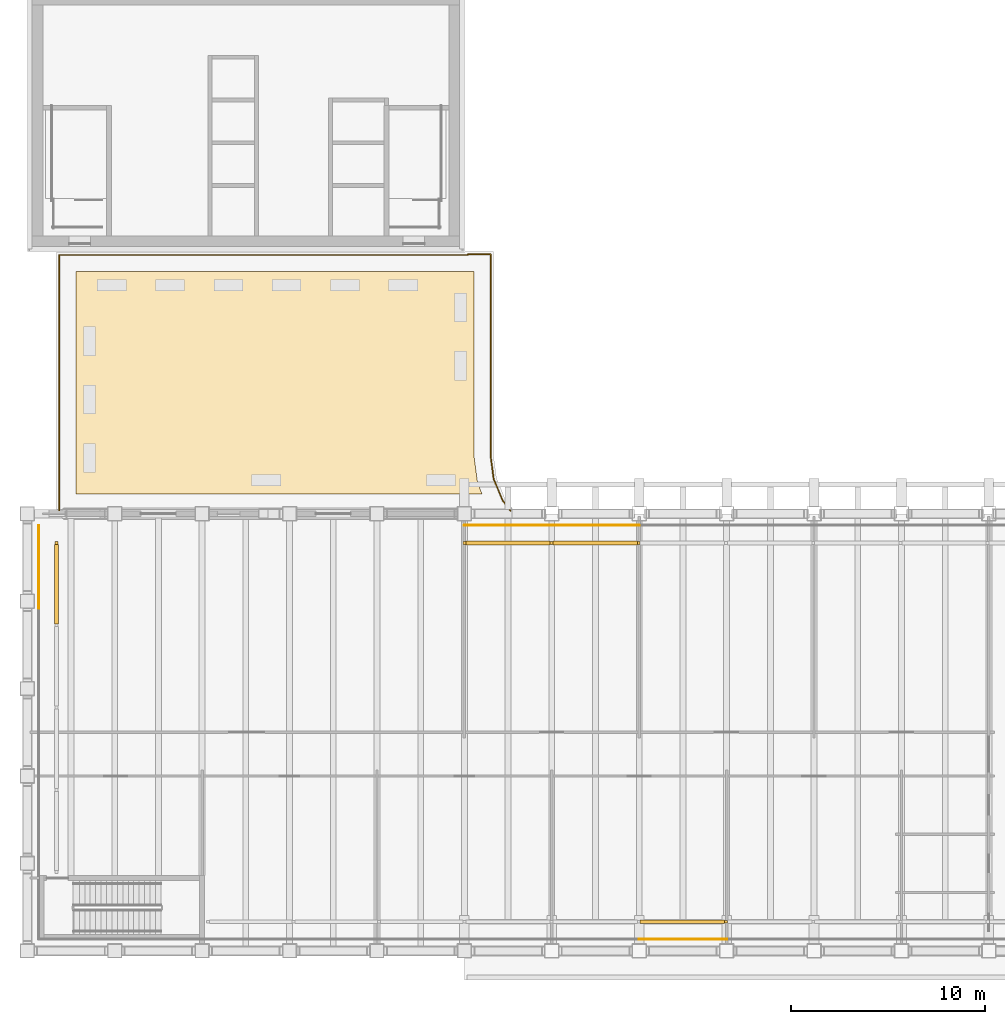
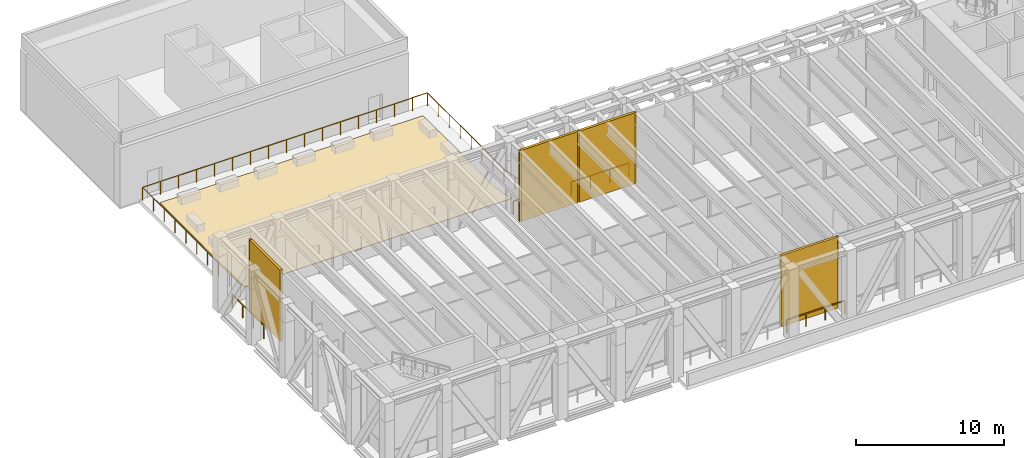
# One storey, part 15 of 20: 9 shading devices, 6 railings, 1 covering.
"""IFC4 building model written with IfcOpenShell, lengths in metres."""

import ifcopenshell
import ifcopenshell.guid

model = None  # the IFC model being written
_history = None  # IfcOwnerHistory: only IFC2X3 demands one
_inside = {}  # id of a spatial element -> (the spatial element, [elements in it])
_under = {}  # id of a project, library or spatial element -> (it, [spatial elements below it])
_declared = {}  # id of a project -> (the project, [libraries it declares])
_typed = {}  # id of a type object -> (the type object, [elements of that type])
_made_of = {}  # id of a material, layer set ... -> (it, [elements and type objects made of it])


def new_model(schema):
    """Start an empty IFC model of exactly this schema.

    Asked for "IFC4X3", IfcOpenShell would pick the latest addendum, in which some entities
    have other attributes; the version numbers below select the first issue.
    IFC2X3 requires an IfcOwnerHistory on every rooted entity: one is made here for all.
    """
    global model, _history
    if schema == "IFC4X3":
        model = ifcopenshell.file(schema_version=(4, 3, 0, 0))
    else:
        model = ifcopenshell.file(schema=schema)
    _inside.clear()
    _under.clear()
    _declared.clear()
    _typed.clear()
    _made_of.clear()
    _history = None
    if model.schema == "IFC2X3":
        org = make("IfcOrganization", Name="unknown")
        user = make(
            "IfcPersonAndOrganization",
            ThePerson=make("IfcPerson", FamilyName="unknown"),
            TheOrganization=org,
        )
        app = make(
            "IfcApplication",
            ApplicationDeveloper=org,
            Version="unknown",
            ApplicationFullName="unknown",
            ApplicationIdentifier="unknown",
        )
        _history = make(
            "IfcOwnerHistory",
            OwningUser=user,
            OwningApplication=app,
            ChangeAction="ADDED",
            CreationDate=0,
        )
    return model


def make(cls, **values):
    """One entity of the class cls with the attributes given. An attribute that is None is left unset."""
    return model.create_entity(
        cls, **{name: value for name, value in values.items() if value is not None}
    )


def rooted(cls, **values):
    """An entity with a GlobalId (a new one), such as an element, a storey or a relation."""
    return make(cls, GlobalId=ifcopenshell.guid.new(), OwnerHistory=_history, **values)


def si_unit(unit_type, name, prefix=None):
    """IfcSIUnit, for example si_unit("LENGTHUNIT", "METRE", prefix="MILLI")."""
    return make("IfcSIUnit", UnitType=unit_type, Prefix=prefix, Name=name)


def assignment(units):
    """IfcUnitAssignment: the units of a project."""
    return None if units is None else make("IfcUnitAssignment", Units=units)


def point(xyz):
    """IfcCartesianPoint."""
    return None if xyz is None else make("IfcCartesianPoint", Coordinates=xyz)


def direction(xyz):
    """IfcDirection."""
    return None if xyz is None else make("IfcDirection", DirectionRatios=xyz)


def frame(location, z_axis=None, x_axis=None):
    """IfcAxis2Placement3D, a coordinate frame: its origin and axes. An axis left out is left unset."""
    return make(
        "IfcAxis2Placement3D",
        Location=point(location),
        Axis=direction(z_axis),
        RefDirection=direction(x_axis),
    )


def frame_2d(location, x_axis=None):
    """IfcAxis2Placement2D, a coordinate frame in the plane: its origin and x axis."""
    return make(
        "IfcAxis2Placement2D", Location=point(location), RefDirection=direction(x_axis)
    )


def origin():
    """The frame at (0, 0, 0) with its axes left unset."""
    return frame((0.0, 0.0, 0.0))


def origin_2d():
    """The frame at (0, 0) in the plane with its x axis left unset."""
    return frame_2d((0.0, 0.0))


def place(relative_to, where):
    """IfcLocalPlacement: puts the frame where relative to a parent placement (None: the world)."""
    return make(
        "IfcLocalPlacement", PlacementRelTo=relative_to, RelativePlacement=where
    )


def context(
    kind, dimensions, precision=None, world=None, true_north=None, identifier=None
):
    """IfcGeometricRepresentationContext, for example the 3D "Model" context."""
    return make(
        "IfcGeometricRepresentationContext",
        ContextIdentifier=identifier,
        ContextType=kind,
        CoordinateSpaceDimension=dimensions,
        Precision=precision,
        WorldCoordinateSystem=world,
        TrueNorth=true_north,
    )


def subcontext(parent, identifier, kind, view, scale=None):
    """IfcGeometricRepresentationSubContext, for example "Body" below "Model"."""
    return make(
        "IfcGeometricRepresentationSubContext",
        ContextIdentifier=identifier,
        ContextType=kind,
        ParentContext=parent,
        TargetScale=scale,
        TargetView=view,
    )


def project(units=None, contexts=None):
    """IfcProject with its units and contexts."""
    return rooted(
        "IfcProject",
        Name="project",
        RepresentationContexts=contexts,
        UnitsInContext=assignment(units),
    )


def spatial(cls, under=None, at=None, **own):
    """A site, building, storey or space (cls), placed at a placement, below another one or the project."""
    s = rooted(cls, ObjectPlacement=at, **own)
    if under is not None:
        _under.setdefault(under.id(), (under, []))[1].append(s)
    return s


def polyline(points):
    """IfcPolyline through the points."""
    return make("IfcPolyline", Points=[point(p) for p in points])


def profile(cls, at=None, kind="AREA", **sizes):
    """A parametric profile (cls). Its sizes go by their IFC names, for example OverallWidth=200.0."""
    return make(cls, ProfileType=kind, Position=at, **sizes)


def rectangle(**sizes):
    """IfcRectangleProfileDef."""
    return profile("IfcRectangleProfileDef", **sizes)


def outline(outer, holes=None, kind="AREA"):
    """IfcArbitraryClosedProfileDef: a profile drawn as a closed curve; with holes, ...WithVoids."""
    if holes is None:
        return make("IfcArbitraryClosedProfileDef", ProfileType=kind, OuterCurve=outer)
    return make(
        "IfcArbitraryProfileDefWithVoids",
        ProfileType=kind,
        OuterCurve=outer,
        InnerCurves=holes,
    )


def extrude(swept, where, along, depth):
    """IfcExtrudedAreaSolid: the profile swept, set in the frame where, extruded along a direction by depth."""
    return make(
        "IfcExtrudedAreaSolid",
        SweptArea=swept,
        Position=where,
        ExtrudedDirection=direction(along),
        Depth=depth,
    )


def shape(context_of_items, identifier, shape_type, items):
    """IfcShapeRepresentation: the items that make up one representation, for example the "Body"."""
    return make(
        "IfcShapeRepresentation",
        ContextOfItems=context_of_items,
        RepresentationIdentifier=identifier,
        RepresentationType=shape_type,
        Items=items,
    )


def material(Name=None, Category=None):
    """IfcMaterial."""
    return make("IfcMaterial", Name=Name, Category=Category)


def layer(
    of_material, thickness, ventilated=None, Name=None, Category=None, Priority=None
):
    """IfcMaterialLayer: one layer of a wall or slab, of a material (None: an air gap)."""
    return make(
        "IfcMaterialLayer",
        Material=of_material,
        LayerThickness=thickness,
        IsVentilated=ventilated,
        Name=Name,
        Category=Category,
        Priority=Priority,
    )


def layer_set(layers, Name=None):
    """IfcMaterialLayerSet."""
    return make("IfcMaterialLayerSet", MaterialLayers=layers, LayerSetName=Name)


def made_of(thing, what):
    """Note that an element or type object is made of a material, layer set ...; save() writes the relation."""
    if what is not None:
        _made_of.setdefault(what.id(), (what, []))[1].append(thing)
    return thing


def type_object(cls, material=None, **own):
    """A type object (cls), such as IfcWallType, which elements share."""
    return made_of(rooted(cls, **own), material)


def element(
    cls,
    number,
    at=None,
    inside=None,
    cuts=None,
    type_object=None,
    material=None,
    context=None,
    identifier="Body",
    shape_type=None,
    held_by="IfcProductDefinitionShape",
    body=None,
    shapes=None,
    **own,
):
    """One element of the class cls, such as IfcWall. Its Tag is "e" and its number.

    at: its placement. inside: the storey or other place that contains it. cuts: it is an
    opening in that element (IfcRelVoidsElement). A single representation is given by context,
    identifier, shape_type and body (its items); several are given by shapes. held_by: the class
    of the entity that holds the representations. save() writes the other relations.
    """
    e = rooted(cls, Tag="e%d" % number, ObjectPlacement=at, **own)
    if body is not None:
        shapes = [shape(context, identifier, shape_type, body)]
    if shapes is not None:
        e.Representation = make(held_by, Representations=shapes)
    if inside is not None:
        _inside.setdefault(inside.id(), (inside, []))[1].append(e)
    if cuts is not None:
        rooted(
            "IfcRelVoidsElement", RelatingBuildingElement=cuts, RelatedOpeningElement=e
        )
    if type_object is not None:
        _typed.setdefault(type_object.id(), (type_object, []))[1].append(e)
    return made_of(e, material)


def aggregate(whole, parts):
    """IfcRelAggregates: a whole, such as a stair, and the parts it consists of."""
    return rooted("IfcRelAggregates", RelatingObject=whole, RelatedObjects=parts)


def save(model, path):
    """Write the relations noted so far, then the file.

    IfcRelAggregates (storeys below a building ...), IfcRelContainedInSpatialStructure (elements
    in a storey), IfcRelDefinesByType, IfcRelAssociatesMaterial and IfcRelDeclares: one each for
    every whole, place, type object, material and project.
    """
    for whole, parts in _under.values():
        aggregate(whole, parts)
    for where, things in _inside.values():
        rooted(
            "IfcRelContainedInSpatialStructure",
            RelatedElements=things,
            RelatingStructure=where,
        )
    for kind, things in _typed.values():
        rooted("IfcRelDefinesByType", RelatedObjects=things, RelatingType=kind)
    for what, things in _made_of.values():
        rooted("IfcRelAssociatesMaterial", RelatedObjects=things, RelatingMaterial=what)
    for by, libraries in _declared.values():
        rooted("IfcRelDeclares", RelatingContext=by, RelatedDefinitions=libraries)
    model.write(path)


model = new_model("IFC4")

# Units and contexts
model_context = context("Model", 3, precision=1e-05, world=origin(), true_north=direction((0.0, 1.0)))
body_context = subcontext(model_context, "Body", "Model", "MODEL_VIEW")
ifc_project = project(units=[si_unit("LENGTHUNIT", "METRE"), si_unit("AREAUNIT", "SQUARE_METRE"), si_unit("VOLUMEUNIT", "CUBIC_METRE"), si_unit("PLANEANGLEUNIT", "RADIAN"), si_unit("MASSUNIT", "GRAM", prefix="KILO")], contexts=[model_context])

# Site, building, storey
site_placement = place(None, origin())
site = spatial("IfcSite", under=ifc_project, at=site_placement, CompositionType="ELEMENT")
building_placement = place(site_placement, origin())
building = spatial("IfcBuilding", under=site, at=building_placement, Name="Sennacour Bend Tower", CompositionType="ELEMENT")
storey_placement = place(building_placement, frame((0.0, 0.0, 243.0)))
storey = spatial("IfcBuildingStorey", under=building, at=storey_placement, Name="L56", CompositionType="ELEMENT", Elevation=243.0)

# Covering
ifc_material_1 = material(Name="Limestone paving", Category="masonry")
ifc_layer_1 = layer(ifc_material_1, 0.030029296875, Name="Limestone paving", Category="masonry")
ifc_layer_set_1 = layer_set([ifc_layer_1], Name="Limestone paving")
covering_type = type_object("IfcCoveringType", Name="COV-PAVING-30", PredefinedType="FLOORING", material=ifc_layer_set_1)
covering_placement = place(storey_placement, origin())
element("IfcCovering", 1, at=covering_placement, inside=storey, type_object=covering_type, Name="Paving Wing B Roof", PredefinedType="FLOORING", context=body_context, shape_type="SweptSolid", body=[
    extrude(outline(polyline([(23.0, 34.969970703125), (23.0, 25.4345703125), (23.17919921875, 24.07421875), (23.404541015625, 23.530029296875), (2.5, 23.530029296875), (2.5, 34.969970703125), (23.0, 34.969970703125)])), origin(), (0.0, 0.0, 1.0), 0.030029296875),
])

# Railings
ifc_material_2 = material(Name="Stainless steel 316", Category="steel")
railing_type = type_object("IfcRailingType", Name="GUARD 1100", PredefinedType="GUARDRAIL", material=ifc_material_2)
railing_1_placement = place(storey_placement, frame((0.60009765625, 17.639892578125, 0.0)))
element("IfcRailing", 2, at=railing_1_placement, inside=storey, type_object=railing_type, Name="Guard L56", PredefinedType="GUARDRAIL", context=body_context, shape_type="SweptSolid", body=[
    extrude(rectangle(XDim=0.048095703125, YDim=0.048095703125, at=origin_2d()), frame((0.0, 0.0, 1.076171875), z_axis=(0.0, 1.0, 0.0), x_axis=(-1.0, 0.0, 0.0)), (0.0, 0.0, 1.0), 4.260009765625),
    extrude(rectangle(XDim=0.0419921875, YDim=0.0419921875, at=origin_2d()), origin(), (0.0, 0.0, 1.0), 1.052001953125),
    extrude(rectangle(XDim=0.0419921875, YDim=0.0419921875, at=origin_2d()), frame((0.0, 1.419921875, 0.0)), (0.0, 0.0, 1.0), 1.052001953125),
    extrude(rectangle(XDim=0.0419921875, YDim=0.0419921875, at=origin_2d()), frame((0.0, 2.840087890625, 0.0)), (0.0, 0.0, 1.0), 1.052001953125),
    extrude(rectangle(XDim=0.0419921875, YDim=0.0419921875, at=origin_2d()), frame((0.0, 4.260009765625, 0.0)), (0.0, 0.0, 1.0), 1.052001953125),
])
railing_2_placement = place(storey_placement, frame((22.5, 21.89990234375, 0.0)))
element("IfcRailing", 3, at=railing_2_placement, inside=storey, type_object=railing_type, Name="Guard L56", PredefinedType="GUARDRAIL", context=body_context, shape_type="SweptSolid", body=[
    extrude(rectangle(XDim=0.048095703125, YDim=0.048095703125, at=origin_2d()), frame((0.0, 0.0, 1.076171875), z_axis=(1.0, 0.0, 0.0), x_axis=(0.0, 1.0, 0.0)), (0.0, 0.0, 1.0), 4.5),
    extrude(rectangle(XDim=0.0419921875, YDim=0.0419921875, at=origin_2d()), origin(), (0.0, 0.0, 1.0), 1.052001953125),
    extrude(rectangle(XDim=0.0419921875, YDim=0.0419921875, at=origin_2d()), frame((1.5, 0.0, 0.0)), (0.0, 0.0, 1.0), 1.052001953125),
    extrude(rectangle(XDim=0.0419921875, YDim=0.0419921875, at=origin_2d()), frame((3.0, 0.0, 0.0)), (0.0, 0.0, 1.0), 1.052001953125),
    extrude(rectangle(XDim=0.0419921875, YDim=0.0419921875, at=origin_2d()), frame((4.5, 0.0, 0.0)), (0.0, 0.0, 1.0), 1.052001953125),
])
railing_3_placement = place(storey_placement, frame((27.0, 21.89990234375, 0.0)))
element("IfcRailing", 4, at=railing_3_placement, inside=storey, type_object=railing_type, Name="Guard L56", PredefinedType="GUARDRAIL", context=body_context, shape_type="SweptSolid", body=[
    extrude(rectangle(XDim=0.048095703125, YDim=0.048095703125, at=origin_2d()), frame((0.0, 0.0, 1.076171875), z_axis=(1.0, 0.0, 0.0), x_axis=(0.0, 1.0, 0.0)), (0.0, 0.0, 1.0), 4.499755859375),
    extrude(rectangle(XDim=0.0419921875, YDim=0.0419921875, at=origin_2d()), origin(), (0.0, 0.0, 1.0), 1.052001953125),
    extrude(rectangle(XDim=0.0419921875, YDim=0.0419921875, at=origin_2d()), frame((1.5, 0.0, 0.0)), (0.0, 0.0, 1.0), 1.052001953125),
    extrude(rectangle(XDim=0.0419921875, YDim=0.0419921875, at=origin_2d()), frame((2.999755859375, 0.0, 0.0)), (0.0, 0.0, 1.0), 1.052001953125),
    extrude(rectangle(XDim=0.0419921875, YDim=0.0419921875, at=origin_2d()), frame((4.499755859375, 0.0, 0.0)), (0.0, 0.0, 1.0), 1.052001953125),
])
railing_4_placement = place(storey_placement, frame((35.99951171875, 0.60009765625, 0.0)))
element("IfcRailing", 5, at=railing_4_placement, inside=storey, type_object=railing_type, Name="Guard L56", PredefinedType="GUARDRAIL", context=body_context, shape_type="SweptSolid", body=[
    extrude(rectangle(XDim=0.048095703125, YDim=0.048095703125, at=origin_2d()), frame((0.0, 0.0, 1.076171875), z_axis=(-1.0, 0.0, 0.0), x_axis=(0.0, -1.0, 0.0)), (0.0, 0.0, 1.0), 4.499755859375),
    extrude(rectangle(XDim=0.0419921875, YDim=0.0419921875, at=origin_2d()), origin(), (0.0, 0.0, 1.0), 1.052001953125),
    extrude(rectangle(XDim=0.0419921875, YDim=0.0419921875, at=origin_2d()), frame((-1.5, 0.0, 0.0)), (0.0, 0.0, 1.0), 1.052001953125),
    extrude(rectangle(XDim=0.0419921875, YDim=0.0419921875, at=origin_2d()), frame((-2.999755859375, 0.0, 0.0)), (0.0, 0.0, 1.0), 1.052001953125),
    extrude(rectangle(XDim=0.0419921875, YDim=0.0419921875, at=origin_2d()), frame((-4.499755859375, 0.0, 0.0)), (0.0, 0.0, 1.0), 1.052001953125),
])
railing_5_placement = place(storey_placement, frame((22.679931640625, 35.85009765625, 0.0)))
element("IfcRailing", 6, at=railing_5_placement, inside=storey, type_object=railing_type, Name="Guard Wing B Roof", PredefinedType="GUARDRAIL", context=body_context, shape_type="SweptSolid", body=[
    extrude(rectangle(XDim=0.048095703125, YDim=0.048095703125, at=origin_2d()), frame((0.0, 0.0, 1.076171875), z_axis=(1.0, 0.0, 0.0), x_axis=(0.0, 1.0, 0.0)), (0.0, 0.0, 1.0), 1.170166015625),
    extrude(rectangle(XDim=0.048095703125, YDim=0.048095703125, at=origin_2d()), frame((1.170166015625, 0.0, 1.076171875), z_axis=(0.0, -1.0, 0.0), x_axis=(1.0, 0.0, 0.0)), (0.0, 0.0, 1.0), 10.35986328125),
    extrude(rectangle(XDim=0.048095703125, YDim=0.048095703125, at=origin_2d()), frame((1.170166015625, -10.35986328125, 1.076171875), z_axis=(0.130344392712, -0.991468778777, 0.0), x_axis=(0.991468778777, 0.130344392712, 0.0)), (0.0, 0.0, 1.0), 1.204345703125),
    extrude(rectangle(XDim=0.048095703125, YDim=0.048095703125, at=origin_2d()), frame((1.3271484375, -11.553955078125, 1.076171875), z_axis=(0.382801612379, -0.923830571891, 0.0), x_axis=(0.923830571891, 0.382801612379, 0.0)), (0.0, 0.0, 1.0), 1.21435546875),
    extrude(rectangle(XDim=0.048095703125, YDim=0.048095703125, at=origin_2d()), frame((1.7919921875, -12.67578125, 1.076171875), z_axis=(0.608710660898, -0.793392293452, 0.0), x_axis=(0.793392293452, 0.608710660898, 0.0)), (0.0, 0.0, 1.0), 0.660888671875),
    extrude(rectangle(XDim=0.0419921875, YDim=0.0419921875, at=origin_2d()), origin(), (0.0, 0.0, 1.0), 1.052001953125),
    extrude(rectangle(XDim=0.0419921875, YDim=0.0419921875, at=origin_2d()), frame((1.170166015625, 0.0, 0.0)), (0.0, 0.0, 1.0), 1.052001953125),
    extrude(rectangle(XDim=0.0419921875, YDim=0.0419921875, at=origin_2d()), frame((1.170166015625, -1.47998046875, 0.0)), (0.0, 0.0, 1.0), 1.052001953125),
    extrude(rectangle(XDim=0.0419921875, YDim=0.0419921875, at=origin_2d()), frame((1.170166015625, -2.9599609375, 0.0)), (0.0, 0.0, 1.0), 1.052001953125),
    extrude(rectangle(XDim=0.0419921875, YDim=0.0419921875, at=origin_2d()), frame((1.170166015625, -4.43994140625, 0.0)), (0.0, 0.0, 1.0), 1.052001953125),
    extrude(rectangle(XDim=0.0419921875, YDim=0.0419921875, at=origin_2d()), frame((1.170166015625, -5.919921875, 0.0)), (0.0, 0.0, 1.0), 1.052001953125),
    extrude(rectangle(XDim=0.0419921875, YDim=0.0419921875, at=origin_2d()), frame((1.170166015625, -7.39990234375, 0.0)), (0.0, 0.0, 1.0), 1.052001953125),
    extrude(rectangle(XDim=0.0419921875, YDim=0.0419921875, at=origin_2d()), frame((1.170166015625, -8.8798828125, 0.0)), (0.0, 0.0, 1.0), 1.052001953125),
    extrude(rectangle(XDim=0.0419921875, YDim=0.0419921875, at=origin_2d()), frame((1.170166015625, -10.35986328125, 0.0)), (0.0, 0.0, 1.0), 1.052001953125),
    extrude(rectangle(XDim=0.0419921875, YDim=0.0419921875, at=origin_2d()), frame((1.3271484375, -11.553955078125, 0.0)), (0.0, 0.0, 1.0), 1.052001953125),
    extrude(rectangle(XDim=0.0419921875, YDim=0.0419921875, at=origin_2d()), frame((1.7919921875, -12.67578125, 0.0)), (0.0, 0.0, 1.0), 1.052001953125),
    extrude(rectangle(XDim=0.0419921875, YDim=0.0419921875, at=origin_2d()), frame((2.1943359375, -13.2001953125, 0.0)), (0.0, 0.0, 1.0), 1.052001953125),
])
railing_6_placement = place(storey_placement, frame((1.64990234375, 22.64990234375, 0.0)))
element("IfcRailing", 7, at=railing_6_placement, inside=storey, type_object=railing_type, Name="Guard Wing B Roof", PredefinedType="GUARDRAIL", context=body_context, shape_type="SweptSolid", body=[
    extrude(rectangle(XDim=0.048095703125, YDim=0.048095703125, at=origin_2d()), frame((0.0, 0.0, 1.076171875), z_axis=(0.0, 1.0, 0.0), x_axis=(-1.0, 0.0, 0.0)), (0.0, 0.0, 1.0), 13.170166015625),
    extrude(rectangle(XDim=0.048095703125, YDim=0.048095703125, at=origin_2d()), frame((0.0, 13.170166015625, 1.076171875), z_axis=(1.0, 0.0, 0.0), x_axis=(0.0, 1.0, 0.0)), (0.0, 0.0, 1.0), 21.030029296875),
    extrude(rectangle(XDim=0.048095703125, YDim=0.048095703125, at=origin_2d()), frame((21.030029296875, 13.170166015625, 1.076171875), z_axis=(0.0, 1.0, 0.0), x_axis=(-1.0, 0.0, 0.0)), (0.0, 0.0, 1.0), 0.030029296875),
    extrude(rectangle(XDim=0.0419921875, YDim=0.0419921875, at=origin_2d()), origin(), (0.0, 0.0, 1.0), 1.052001953125),
    extrude(rectangle(XDim=0.0419921875, YDim=0.0419921875, at=origin_2d()), frame((0.0, 1.46337890625, 0.0)), (0.0, 0.0, 1.0), 1.052001953125),
    extrude(rectangle(XDim=0.0419921875, YDim=0.0419921875, at=origin_2d()), frame((0.0, 2.9267578125, 0.0)), (0.0, 0.0, 1.0), 1.052001953125),
    extrude(rectangle(XDim=0.0419921875, YDim=0.0419921875, at=origin_2d()), frame((0.0, 4.39013671875, 0.0)), (0.0, 0.0, 1.0), 1.052001953125),
    extrude(rectangle(XDim=0.0419921875, YDim=0.0419921875, at=origin_2d()), frame((0.0, 5.853515625, 0.0)), (0.0, 0.0, 1.0), 1.052001953125),
    extrude(rectangle(XDim=0.0419921875, YDim=0.0419921875, at=origin_2d()), frame((0.0, 7.316650390625, 0.0)), (0.0, 0.0, 1.0), 1.052001953125),
    extrude(rectangle(XDim=0.0419921875, YDim=0.0419921875, at=origin_2d()), frame((0.0, 8.780029296875, 0.0)), (0.0, 0.0, 1.0), 1.052001953125),
    extrude(rectangle(XDim=0.0419921875, YDim=0.0419921875, at=origin_2d()), frame((0.0, 10.243408203125, 0.0)), (0.0, 0.0, 1.0), 1.052001953125),
    extrude(rectangle(XDim=0.0419921875, YDim=0.0419921875, at=origin_2d()), frame((0.0, 11.706787109375, 0.0)), (0.0, 0.0, 1.0), 1.052001953125),
    extrude(rectangle(XDim=0.0419921875, YDim=0.0419921875, at=origin_2d()), frame((0.0, 13.170166015625, 0.0)), (0.0, 0.0, 1.0), 1.052001953125),
    extrude(rectangle(XDim=0.0419921875, YDim=0.0419921875, at=origin_2d()), frame((1.402099609375, 13.170166015625, 0.0)), (0.0, 0.0, 1.0), 1.052001953125),
    extrude(rectangle(XDim=0.0419921875, YDim=0.0419921875, at=origin_2d()), frame((2.803955078125, 13.170166015625, 0.0)), (0.0, 0.0, 1.0), 1.052001953125),
    extrude(rectangle(XDim=0.0419921875, YDim=0.0419921875, at=origin_2d()), frame((4.2060546875, 13.170166015625, 0.0)), (0.0, 0.0, 1.0), 1.052001953125),
    extrude(rectangle(XDim=0.0419921875, YDim=0.0419921875, at=origin_2d()), frame((5.60791015625, 13.170166015625, 0.0)), (0.0, 0.0, 1.0), 1.052001953125),
    extrude(rectangle(XDim=0.0419921875, YDim=0.0419921875, at=origin_2d()), frame((7.010009765625, 13.170166015625, 0.0)), (0.0, 0.0, 1.0), 1.052001953125),
    extrude(rectangle(XDim=0.0419921875, YDim=0.0419921875, at=origin_2d()), frame((8.412109375, 13.170166015625, 0.0)), (0.0, 0.0, 1.0), 1.052001953125),
    extrude(rectangle(XDim=0.0419921875, YDim=0.0419921875, at=origin_2d()), frame((9.81396484375, 13.170166015625, 0.0)), (0.0, 0.0, 1.0), 1.052001953125),
    extrude(rectangle(XDim=0.0419921875, YDim=0.0419921875, at=origin_2d()), frame((11.216064453125, 13.170166015625, 0.0)), (0.0, 0.0, 1.0), 1.052001953125),
    extrude(rectangle(XDim=0.0419921875, YDim=0.0419921875, at=origin_2d()), frame((12.617919921875, 13.170166015625, 0.0)), (0.0, 0.0, 1.0), 1.052001953125),
    extrude(rectangle(XDim=0.0419921875, YDim=0.0419921875, at=origin_2d()), frame((14.02001953125, 13.170166015625, 0.0)), (0.0, 0.0, 1.0), 1.052001953125),
    extrude(rectangle(XDim=0.0419921875, YDim=0.0419921875, at=origin_2d()), frame((15.422119140625, 13.170166015625, 0.0)), (0.0, 0.0, 1.0), 1.052001953125),
    extrude(rectangle(XDim=0.0419921875, YDim=0.0419921875, at=origin_2d()), frame((16.823974609375, 13.170166015625, 0.0)), (0.0, 0.0, 1.0), 1.052001953125),
    extrude(rectangle(XDim=0.0419921875, YDim=0.0419921875, at=origin_2d()), frame((18.22607421875, 13.170166015625, 0.0)), (0.0, 0.0, 1.0), 1.052001953125),
    extrude(rectangle(XDim=0.0419921875, YDim=0.0419921875, at=origin_2d()), frame((19.6279296875, 13.170166015625, 0.0)), (0.0, 0.0, 1.0), 1.052001953125),
    extrude(rectangle(XDim=0.0419921875, YDim=0.0419921875, at=origin_2d()), frame((21.030029296875, 13.170166015625, 0.0)), (0.0, 0.0, 1.0), 1.052001953125),
    extrude(rectangle(XDim=0.0419921875, YDim=0.0419921875, at=origin_2d()), frame((21.030029296875, 13.2001953125, 0.0)), (0.0, 0.0, 1.0), 1.052001953125),
])

# Shading devices
ifc_material_3 = material(Name="Dark bronze anodised aluminium louvre", Category="aluminium")
ifc_layer_2 = layer(ifc_material_3, 0.199951171875, Name="Dark bronze anodised aluminium louvre", Category="aluminium")
ifc_layer_set_2 = layer_set([ifc_layer_2], Name="Dark bronze anodised aluminium louvre")
shading_device_type_1 = type_object("IfcShadingDeviceType", Name="LOUVRE BANK 200", PredefinedType="USERDEFINED", material=ifc_layer_set_2)
shading_device_placement = place(storey_placement, frame((1.5, 18.881103515625, 0.0), z_axis=(0.0, 0.0, 1.0), x_axis=(0.0, 1.0, 0.0)))
element("IfcShadingDevice", 8, at=shading_device_placement, inside=storey, type_object=shading_device_type_1, Name="Louvre bank L56", ObjectType="LOUVRE", PredefinedType="USERDEFINED", context=body_context, shape_type="SweptSolid", body=[
    extrude(rectangle(XDim=4.097412109375, YDim=0.199951171875, at=origin_2d()), origin(), (0.0, 0.0, 1.0), 5.85009765625),
])
for number, where, z_axis, x_axis, name in (
    (9, (24.74462890625, 21.0, 0.0), (0.0, 0.0, 1.0), (1.0, 0.0, 0.0), "Louvre bank L56"),
    (10, (29.233642578125, 21.0, 0.0), (0.0, 0.0, 1.0), (1.0, 0.0, 0.0), "Louvre bank L56"),
    (11, (33.722900390625, 1.5, 0.0), (0.0, 0.0, 1.0), (-1.0, 0.0, 0.0), "Louvre bank L56"),
):
    element("IfcShadingDevice", number, at=place(storey_placement, frame(where, z_axis=z_axis, x_axis=x_axis)), inside=storey, type_object=shading_device_type_1, Name=name, ObjectType="LOUVRE", PredefinedType="USERDEFINED", context=body_context, shape_type="SweptSolid", body=[
        extrude(rectangle(XDim=4.34912109375, YDim=0.199951171875, at=origin_2d()), origin(), (0.0, 0.0, 1.0), 5.85009765625),
    ])
shading_device_type_2 = type_object("IfcShadingDeviceType", Name="LOUVRE WALL POST 150", PredefinedType="USERDEFINED", material=ifc_material_3)
for number, where, z_axis, x_axis, name in (
    (12, (1.5, 21.0, 0.0), (0.0, 0.0, 1.0), (1.0, 0.0, 0.0), "Louvre wall post L56"),
    (13, (22.5, 21.0, 0.0), (0.0, 0.0, 1.0), (1.0, 0.0, 0.0), "Louvre wall post L56"),
    (14, (26.989013671875, 21.0, 0.0), (0.0, 0.0, 1.0), (1.0, 0.0, 0.0), "Louvre wall post L56"),
    (15, (31.478271484375, 21.0, 0.0), (0.0, 0.0, 1.0), (1.0, 0.0, 0.0), "Louvre wall post L56"),
    (16, (35.96728515625, 1.5, 0.0), (0.0, 0.0, 1.0), (1.0, 0.0, 0.0), "Louvre wall post L56"),
):
    element("IfcShadingDevice", number, at=place(storey_placement, frame(where, z_axis=z_axis, x_axis=x_axis)), inside=storey, type_object=shading_device_type_2, Name=name, ObjectType="LOUVRE", PredefinedType="USERDEFINED", context=body_context, shape_type="SweptSolid", body=[
        extrude(rectangle(XDim=0.14990234375, YDim=0.14990234375, at=origin_2d()), origin(), (0.0, 0.0, 1.0), 5.85009765625),
    ])

save(model, "model.ifc")
